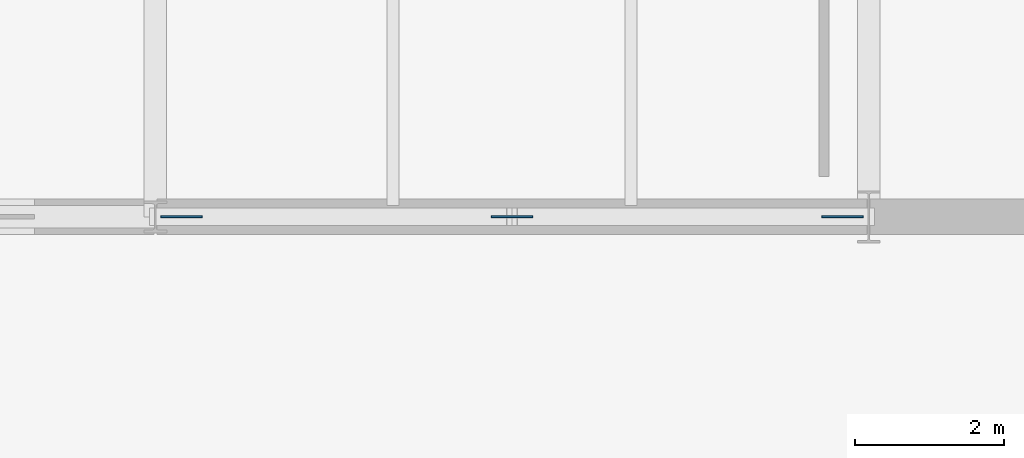
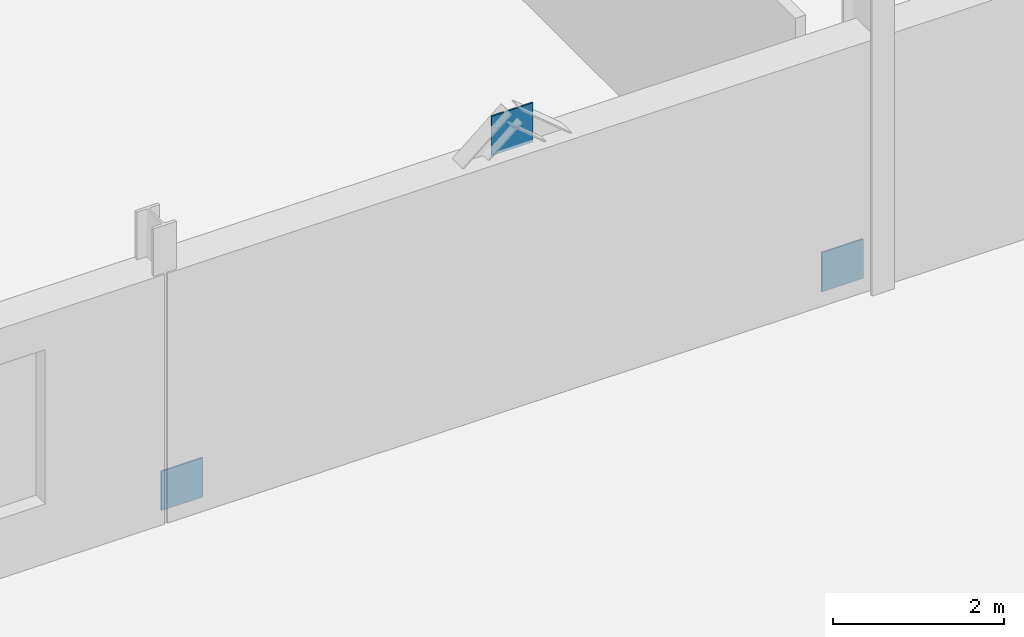
# One storey, part 56 of 78: 3 plates.
"""IFC4 building model written with IfcOpenShell, lengths in metres."""

from ifc_helpers import new_model, si_unit, direction, frame, origin, origin_2d, place, context, subcontext, project, spatial, rectangle, extrude, material, layer, layer_set, type_object, element, save


model = new_model("IFC4")

# Units and contexts
model_context = context("Model", 3, precision=1e-05, world=origin(), true_north=direction((0.0, 1.0)))
body_context = subcontext(model_context, "Body", "Model", "MODEL_VIEW")
ifc_project = project(units=[si_unit("LENGTHUNIT", "METRE"), si_unit("AREAUNIT", "SQUARE_METRE"), si_unit("VOLUMEUNIT", "CUBIC_METRE"), si_unit("PLANEANGLEUNIT", "RADIAN"), si_unit("MASSUNIT", "GRAM", prefix="KILO")], contexts=[model_context])

# Site, building, storey
site_placement = place(None, origin())
site = spatial("IfcSite", under=ifc_project, at=site_placement, CompositionType="ELEMENT")
building_placement = place(site_placement, origin())
building = spatial("IfcBuilding", under=site, at=building_placement, Name="Alderhovde Museum", CompositionType="ELEMENT")
storey_placement = place(building_placement, origin())
storey = spatial("IfcBuildingStorey", under=building, at=storey_placement, Name="L00", CompositionType="ELEMENT", Elevation=0.0)

# Plates
ifc_material = material(Name="Steel S355J2", Category="steel")
ifc_layer = layer(ifc_material, 0.02197265625)
ifc_layer_set = layer_set([ifc_layer], Name="Steel S355J2")
plate_type = type_object("IfcPlateType", Name="PLT-GUSSET-22", PredefinedType="USERDEFINED", material=ifc_layer_set)
for number, where, z_axis, x_axis, name in (
    (1, (134.75, 32.0, 0.02001953125), (0.0, 0.0, 1.0), (1.0, 0.0, 0.0), "L00 Brace End Gusset Plate BR-V5-S-BL"),
    (2, (143.64990234375, 32.0, 0.02001953125), (0.0, 0.0, 1.0), (1.0, 0.0, 0.0), "L00 Brace End Gusset Plate BR-V5-S-BR"),
    (3, (139.199951171875, 32.0, 3.52001953125), (0.0, 0.0, 1.0), (1.0, 0.0, 0.0), "L00 Brace End Gusset Plate BR-V5-S-APX"),
):
    element("IfcPlate", number, at=place(storey_placement, frame(where, z_axis=z_axis, x_axis=x_axis)), inside=storey, type_object=plate_type, Name=name, ObjectType="GUSSET PLATE", PredefinedType="USERDEFINED", context=body_context, shape_type="SweptSolid", body=[
        extrude(rectangle(XDim=0.56005859375, YDim=0.02197265625, at=origin_2d()), origin(), (0.0, 0.0, 1.0), 0.56005859375),
    ])

save(model, "model.ifc")
